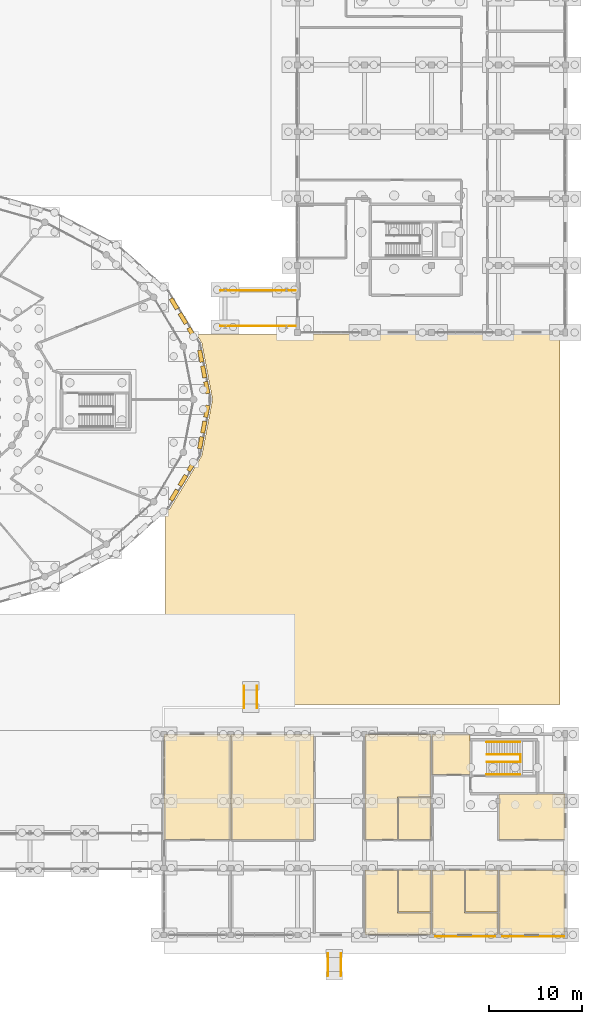
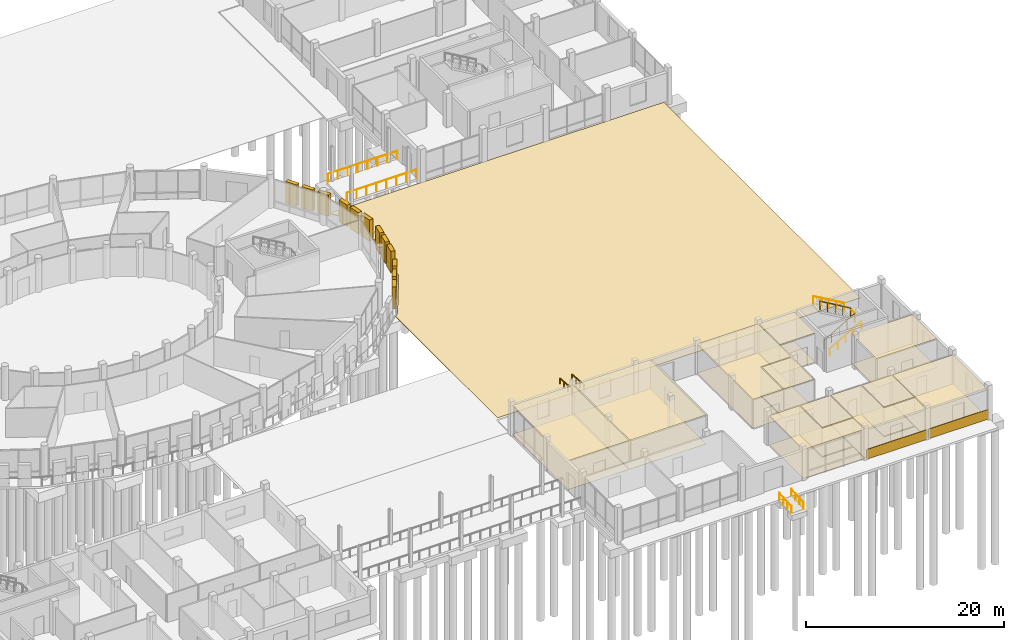
# One storey, part 96 of 98: 25 coverings, 12 shading devices, 11 railings.
"""IFC4 building model written with IfcOpenShell, lengths in metres."""

from ifc_helpers import new_model, si_unit, direction, frame, origin, origin_2d, place, context, subcontext, project, spatial, polyline, rectangle, circle, outline, extrude, material, layer, layer_set, type_object, element, save


model = new_model("IFC4")

# Units and contexts
model_context = context("Model", 3, precision=1e-05, world=origin(), true_north=direction((0.0, 1.0)))
body_context = subcontext(model_context, "Body", "Model", "MODEL_VIEW")
ifc_project = project(units=[si_unit("LENGTHUNIT", "METRE"), si_unit("AREAUNIT", "SQUARE_METRE"), si_unit("VOLUMEUNIT", "CUBIC_METRE"), si_unit("PLANEANGLEUNIT", "RADIAN"), si_unit("MASSUNIT", "GRAM", prefix="KILO")], contexts=[model_context])

# Site, building, storey
site_placement = place(None, origin())
site = spatial("IfcSite", under=ifc_project, at=site_placement, CompositionType="ELEMENT")
building_placement = place(site_placement, origin())
building = spatial("IfcBuilding", under=site, at=building_placement, Name="Zornivar Specialist Clinic", CompositionType="ELEMENT")
storey_placement = place(building_placement, origin())
storey = spatial("IfcBuildingStorey", under=building, at=storey_placement, Name="L00", CompositionType="ELEMENT", Elevation=0.0)

# Coverings
ifc_material_1 = material(Name="Washable Acoustic Mineral Clinical Ceiling")
ifc_layer_1 = layer(ifc_material_1, 0.01806640625)
ifc_layer_set_1 = layer_set([ifc_layer_1], Name="Washable Acoustic Mineral Clinical Ceiling")
covering_type_1 = type_object("IfcCoveringType", Name="COV-CEIL-CLIN-18", PredefinedType="CEILING", material=ifc_layer_set_1)
covering_1_placement = place(storey_placement, frame((0.0, 0.0, 3.58203125)))
element("IfcCovering", 1, at=covering_1_placement, inside=storey, type_object=covering_type_1, Name="ceil:space:V4:L00:rm:01", PredefinedType="CEILING", context=body_context, shape_type="SweptSolid", body=[
    extrude(outline(polyline([(122.43994140625, 21.56005859375), (129.56005859375, 21.56005859375), (129.56005859375, 10.239990234375), (122.43994140625, 10.239990234375), (122.43994140625, 21.56005859375)])), origin(), (0.0, 0.0, 1.0), 0.01806640625),
])
covering_2_placement = place(storey_placement, frame((0.0, 0.0, 3.58203125)))
element("IfcCovering", 2, at=covering_2_placement, inside=storey, type_object=covering_type_1, Name="ceil:space:V4:L00:rm:03", PredefinedType="CEILING", context=body_context, shape_type="SweptSolid", body=[
    extrude(outline(polyline([(129.639892578125, 10.239990234375), (129.639892578125, 21.56005859375), (138.56005859375, 21.56005859375), (138.56005859375, 10.239990234375), (129.639892578125, 10.239990234375)])), origin(), (0.0, 0.0, 1.0), 0.01806640625),
])
covering_3_placement = place(storey_placement, frame((0.0, 0.0, 3.58203125)))
element("IfcCovering", 3, at=covering_3_placement, inside=storey, type_object=covering_type_1, Name="ceil:space:V4:L00:rm:04", PredefinedType="CEILING", context=body_context, shape_type="SweptSolid", body=[
    extrude(outline(polyline([(151.159912109375, 2.43994140625), (147.639892578125, 2.43994140625), (147.639892578125, 6.9599609375), (151.159912109375, 6.9599609375), (151.159912109375, 2.43994140625)])), origin(), (0.0, 0.0, 1.0), 0.01806640625),
])
covering_4_placement = place(storey_placement, frame((0.0, 0.0, 3.58203125)))
element("IfcCovering", 4, at=covering_4_placement, inside=storey, type_object=covering_type_1, Name="ceil:space:V4:L00:rm:04b", PredefinedType="CEILING", context=body_context, shape_type="SweptSolid", body=[
    extrude(outline(polyline([(147.56005859375, 6.9599609375), (147.56005859375, 2.360107421875), (151.159912109375, 2.360107421875), (151.159912109375, 0.0400390625), (144.0400390625, 0.0400390625), (144.0400390625, 6.9599609375), (147.56005859375, 6.9599609375)])), origin(), (0.0, 0.0, 1.0), 0.01806640625),
])
covering_5_placement = place(storey_placement, frame((0.0, 0.0, 3.58203125)))
element("IfcCovering", 5, at=covering_5_placement, inside=storey, type_object=covering_type_1, Name="ceil:space:V4:L00:rm:06", PredefinedType="CEILING", context=body_context, shape_type="SweptSolid", body=[
    extrude(outline(polyline([(147.639892578125, 14.760009765625), (151.159912109375, 14.760009765625), (151.159912109375, 10.239990234375), (147.639892578125, 10.239990234375), (147.639892578125, 14.760009765625)])), origin(), (0.0, 0.0, 1.0), 0.01806640625),
])
covering_6_placement = place(storey_placement, frame((0.0, 0.0, 3.58203125)))
element("IfcCovering", 6, at=covering_6_placement, inside=storey, type_object=covering_type_1, Name="ceil:space:V4:L00:rm:06b", PredefinedType="CEILING", context=body_context, shape_type="SweptSolid", body=[
    extrude(outline(polyline([(144.0400390625, 21.56005859375), (151.159912109375, 21.56005859375), (151.159912109375, 14.840087890625), (147.56005859375, 14.840087890625), (147.56005859375, 10.239990234375), (144.0400390625, 10.239990234375), (144.0400390625, 21.56005859375)])), origin(), (0.0, 0.0, 1.0), 0.01806640625),
])
covering_7_placement = place(storey_placement, frame((0.0, 0.0, 3.58203125)))
element("IfcCovering", 7, at=covering_7_placement, inside=storey, type_object=covering_type_1, Name="ceil:space:V4:L00:rm:08", PredefinedType="CEILING", context=body_context, shape_type="SweptSolid", body=[
    extrude(outline(polyline([(158.360107421875, 2.43994140625), (154.840087890625, 2.43994140625), (154.840087890625, 6.9599609375), (158.360107421875, 6.9599609375), (158.360107421875, 2.43994140625)])), origin(), (0.0, 0.0, 1.0), 0.01806640625),
])
covering_8_placement = place(storey_placement, frame((0.0, 0.0, 3.58203125)))
element("IfcCovering", 8, at=covering_8_placement, inside=storey, type_object=covering_type_1, Name="ceil:space:V4:L00:rm:08b", PredefinedType="CEILING", context=body_context, shape_type="SweptSolid", body=[
    extrude(outline(polyline([(154.760009765625, 6.9599609375), (154.760009765625, 2.360107421875), (158.360107421875, 2.360107421875), (158.360107421875, 0.0400390625), (151.239990234375, 0.0400390625), (151.239990234375, 6.9599609375), (154.760009765625, 6.9599609375)])), origin(), (0.0, 0.0, 1.0), 0.01806640625),
])
covering_9_placement = place(storey_placement, frame((0.0, 0.0, 3.58203125)))
element("IfcCovering", 9, at=covering_9_placement, inside=storey, type_object=covering_type_1, Name="ceil:space:V4:L00:rm:10", PredefinedType="CEILING", context=body_context, shape_type="SweptSolid", body=[
    extrude(outline(polyline([(155.360107421875, 21.56005859375), (155.360107421875, 17.239990234375), (151.239990234375, 17.239990234375), (151.239990234375, 21.56005859375), (155.360107421875, 21.56005859375)])), origin(), (0.0, 0.0, 1.0), 0.01806640625),
])
covering_10_placement = place(storey_placement, frame((0.0, 0.0, 3.58203125)))
element("IfcCovering", 10, at=covering_10_placement, inside=storey, type_object=covering_type_1, Name="ceil:space:V4:L00:rm:11", PredefinedType="CEILING", context=body_context, shape_type="SweptSolid", body=[
    extrude(outline(polyline([(158.43994140625, 6.9599609375), (165.56005859375, 6.9599609375), (165.56005859375, 0.0400390625), (158.43994140625, 0.0400390625), (158.43994140625, 6.9599609375)])), origin(), (0.0, 0.0, 1.0), 0.01806640625),
])
covering_11_placement = place(storey_placement, frame((0.0, 0.0, 3.58203125)))
element("IfcCovering", 11, at=covering_11_placement, inside=storey, type_object=covering_type_1, Name="ceil:space:V4:L00:rm:12", PredefinedType="CEILING", context=body_context, shape_type="SweptSolid", body=[
    extrude(outline(polyline([(158.43994140625, 10.239990234375), (158.43994140625, 15.159912109375), (165.56005859375, 15.159912109375), (165.56005859375, 10.239990234375), (158.43994140625, 10.239990234375)])), origin(), (0.0, 0.0, 1.0), 0.01806640625),
])
ifc_material_2 = material(Name="Coursed Vratsa Limestone Plinth Cladding", Category="masonry")
ifc_layer_2 = layer(ifc_material_2, 0.050048828125)
ifc_layer_set_2 = layer_set([ifc_layer_2], Name="Coursed Vratsa Limestone Plinth Cladding")
covering_type_2 = type_object("IfcCoveringType", Name="COV-CLAD-VRATSA-50", PredefinedType="CLADDING", material=ifc_layer_set_2)
for number, where, z_axis, x_axis, name in (
    (12, (154.800048828125, -0.18505859375, 0.0), (0.0, 0.0, 1.0), (1.0, 0.0, 0.0), "clad:V4:L00:04"),
    (13, (162.0, -0.18505859375, 0.0), (0.0, 0.0, 1.0), (1.0, 0.0, 0.0), "clad:V4:L00:05"),
):
    element("IfcCovering", number, at=place(storey_placement, frame(where, z_axis=z_axis, x_axis=x_axis)), inside=storey, type_object=covering_type_2, Name=name, PredefinedType="CLADDING", context=body_context, shape_type="SweptSolid", body=[
        extrude(rectangle(XDim=7.0, YDim=0.050048828125, at=origin_2d()), origin(), (0.0, 0.0, 1.0), 1.199951171875),
    ])
ifc_material_3 = material(Name="Homogeneous Anti-Static Clinical Vinyl Flooring")
ifc_layer_3 = layer(ifc_material_3, 0.011962890625)
ifc_layer_set_3 = layer_set([ifc_layer_3], Name="Homogeneous Anti-Static Clinical Vinyl Flooring")
covering_type_3 = type_object("IfcCoveringType", Name="COV-FLR-VINYL-12", PredefinedType="FLOORING", material=ifc_layer_set_3)
covering_12_placement = place(storey_placement, origin())
element("IfcCovering", 14, at=covering_12_placement, inside=storey, type_object=covering_type_3, Name="flr:space:V4:L00:rm:01", PredefinedType="FLOORING", context=body_context, shape_type="SweptSolid", body=[
    extrude(outline(polyline([(122.43994140625, 21.56005859375), (129.56005859375, 21.56005859375), (129.56005859375, 10.239990234375), (122.43994140625, 10.239990234375), (122.43994140625, 21.56005859375)])), origin(), (0.0, 0.0, 1.0), 0.011962890625),
])
covering_13_placement = place(storey_placement, origin())
element("IfcCovering", 15, at=covering_13_placement, inside=storey, type_object=covering_type_3, Name="flr:space:V4:L00:rm:03", PredefinedType="FLOORING", context=body_context, shape_type="SweptSolid", body=[
    extrude(outline(polyline([(129.639892578125, 10.239990234375), (129.639892578125, 21.56005859375), (138.56005859375, 21.56005859375), (138.56005859375, 10.239990234375), (129.639892578125, 10.239990234375)])), origin(), (0.0, 0.0, 1.0), 0.011962890625),
])
covering_14_placement = place(storey_placement, origin())
element("IfcCovering", 16, at=covering_14_placement, inside=storey, type_object=covering_type_3, Name="flr:space:V4:L00:rm:04", PredefinedType="FLOORING", context=body_context, shape_type="SweptSolid", body=[
    extrude(outline(polyline([(151.159912109375, 2.43994140625), (147.639892578125, 2.43994140625), (147.639892578125, 6.9599609375), (151.159912109375, 6.9599609375), (151.159912109375, 2.43994140625)])), origin(), (0.0, 0.0, 1.0), 0.011962890625),
])
covering_15_placement = place(storey_placement, origin())
element("IfcCovering", 17, at=covering_15_placement, inside=storey, type_object=covering_type_3, Name="flr:space:V4:L00:rm:04b", PredefinedType="FLOORING", context=body_context, shape_type="SweptSolid", body=[
    extrude(outline(polyline([(147.56005859375, 6.9599609375), (147.56005859375, 2.360107421875), (151.159912109375, 2.360107421875), (151.159912109375, 0.0400390625), (144.0400390625, 0.0400390625), (144.0400390625, 6.9599609375), (147.56005859375, 6.9599609375)])), origin(), (0.0, 0.0, 1.0), 0.011962890625),
])
covering_16_placement = place(storey_placement, origin())
element("IfcCovering", 18, at=covering_16_placement, inside=storey, type_object=covering_type_3, Name="flr:space:V4:L00:rm:06", PredefinedType="FLOORING", context=body_context, shape_type="SweptSolid", body=[
    extrude(outline(polyline([(147.639892578125, 14.760009765625), (151.159912109375, 14.760009765625), (151.159912109375, 10.239990234375), (147.639892578125, 10.239990234375), (147.639892578125, 14.760009765625)])), origin(), (0.0, 0.0, 1.0), 0.011962890625),
])
covering_17_placement = place(storey_placement, origin())
element("IfcCovering", 19, at=covering_17_placement, inside=storey, type_object=covering_type_3, Name="flr:space:V4:L00:rm:06b", PredefinedType="FLOORING", context=body_context, shape_type="SweptSolid", body=[
    extrude(outline(polyline([(144.0400390625, 21.56005859375), (151.159912109375, 21.56005859375), (151.159912109375, 14.840087890625), (147.56005859375, 14.840087890625), (147.56005859375, 10.239990234375), (144.0400390625, 10.239990234375), (144.0400390625, 21.56005859375)])), origin(), (0.0, 0.0, 1.0), 0.011962890625),
])
covering_18_placement = place(storey_placement, origin())
element("IfcCovering", 20, at=covering_18_placement, inside=storey, type_object=covering_type_3, Name="flr:space:V4:L00:rm:08", PredefinedType="FLOORING", context=body_context, shape_type="SweptSolid", body=[
    extrude(outline(polyline([(158.360107421875, 2.43994140625), (154.840087890625, 2.43994140625), (154.840087890625, 6.9599609375), (158.360107421875, 6.9599609375), (158.360107421875, 2.43994140625)])), origin(), (0.0, 0.0, 1.0), 0.011962890625),
])
covering_19_placement = place(storey_placement, origin())
element("IfcCovering", 21, at=covering_19_placement, inside=storey, type_object=covering_type_3, Name="flr:space:V4:L00:rm:08b", PredefinedType="FLOORING", context=body_context, shape_type="SweptSolid", body=[
    extrude(outline(polyline([(154.760009765625, 6.9599609375), (154.760009765625, 2.360107421875), (158.360107421875, 2.360107421875), (158.360107421875, 0.0400390625), (151.239990234375, 0.0400390625), (151.239990234375, 6.9599609375), (154.760009765625, 6.9599609375)])), origin(), (0.0, 0.0, 1.0), 0.011962890625),
])
covering_20_placement = place(storey_placement, origin())
element("IfcCovering", 22, at=covering_20_placement, inside=storey, type_object=covering_type_3, Name="flr:space:V4:L00:rm:10", PredefinedType="FLOORING", context=body_context, shape_type="SweptSolid", body=[
    extrude(outline(polyline([(155.360107421875, 21.56005859375), (155.360107421875, 17.239990234375), (151.239990234375, 17.239990234375), (151.239990234375, 21.56005859375), (155.360107421875, 21.56005859375)])), origin(), (0.0, 0.0, 1.0), 0.011962890625),
])
covering_21_placement = place(storey_placement, origin())
element("IfcCovering", 23, at=covering_21_placement, inside=storey, type_object=covering_type_3, Name="flr:space:V4:L00:rm:11", PredefinedType="FLOORING", context=body_context, shape_type="SweptSolid", body=[
    extrude(outline(polyline([(158.43994140625, 6.9599609375), (165.56005859375, 6.9599609375), (165.56005859375, 0.0400390625), (158.43994140625, 0.0400390625), (158.43994140625, 6.9599609375)])), origin(), (0.0, 0.0, 1.0), 0.011962890625),
])
covering_22_placement = place(storey_placement, origin())
element("IfcCovering", 24, at=covering_22_placement, inside=storey, type_object=covering_type_3, Name="flr:space:V4:L00:rm:12", PredefinedType="FLOORING", context=body_context, shape_type="SweptSolid", body=[
    extrude(outline(polyline([(158.43994140625, 10.239990234375), (158.43994140625, 15.159912109375), (165.56005859375, 15.159912109375), (165.56005859375, 10.239990234375), (158.43994140625, 10.239990234375)])), origin(), (0.0, 0.0, 1.0), 0.011962890625),
])
ifc_material_4 = material(Name="Bush-Hammered Vratsa Limestone Courtyard Paving", Category="masonry")
ifc_layer_4 = layer(ifc_material_4, 0.06005859375)
ifc_layer_set_4 = layer_set([ifc_layer_4], Name="Bush-Hammered Vratsa Limestone Courtyard Paving")
covering_type_4 = type_object("IfcCoveringType", Name="COV-PAVING-STONE-60", PredefinedType="USERDEFINED", material=ifc_layer_set_4)
covering_23_placement = place(storey_placement, frame((0.0, 0.0, -0.06005859375)))
element("IfcCovering", 25, at=covering_23_placement, inside=storey, type_object=covering_type_4, Name="cov:paving:L00:4:east_revak_court", ObjectType="PAVING", PredefinedType="USERDEFINED", context=body_context, shape_type="SweptSolid", body=[
    extrude(outline(polyline([(122.60009765625, 24.800048828125), (122.60009765625, 45.44189453125), (123.069091796875, 45.863037109375), (126.47802734375, 51.52001953125), (127.64208984375, 57.60009765625), (126.47802734375, 63.679931640625), (125.923095703125, 64.60009765625), (165.0, 64.60009765625), (165.0, 24.800048828125), (122.60009765625, 24.800048828125)])), origin(), (0.0, 0.0, 1.0), 0.06005859375),
])

# Railings
ifc_material_5 = material(Name="Painted Steel and Oiled Timber Balustrade", Category="steel")
railing_type_1 = type_object("IfcRailingType", Name="GRD-EXT-BALUST-1100", PredefinedType="BALUSTRADE", material=ifc_material_5)
for number, where, name in (
    (26, (128.47998046875, 65.47998046875, 0.0), "rail:BR3:L00:S"),
    (27, (128.47998046875, 69.320068359375, 0.0), "rail:BR3:L00:N"),
):
    element("IfcRailing", number, at=place(storey_placement, frame(where)), inside=storey, type_object=railing_type_1, Name=name, PredefinedType="BALUSTRADE", context=body_context, shape_type="SweptSolid", body=[
        extrude(circle(Radius=0.02392578125, at=origin_2d()), frame((0.0, 0.0, 1.076171875), z_axis=(1.0, 0.0, 0.0), x_axis=(0.0, 1.0, 0.0)), (0.0, 0.0, 1.0), 8.1201171875),
        extrude(circle(Radius=0.02099609375, at=origin_2d()), origin(), (0.0, 0.0, 1.0), 1.052001953125),
        extrude(circle(Radius=0.02099609375, at=origin_2d()), frame((1.159912109375, 0.0, 0.0)), (0.0, 0.0, 1.0), 1.052001953125),
        extrude(circle(Radius=0.02099609375, at=origin_2d()), frame((2.320068359375, 0.0, 0.0)), (0.0, 0.0, 1.0), 1.052001953125),
        extrude(circle(Radius=0.02099609375, at=origin_2d()), frame((3.47998046875, 0.0, 0.0)), (0.0, 0.0, 1.0), 1.052001953125),
        extrude(circle(Radius=0.02099609375, at=origin_2d()), frame((4.64013671875, 0.0, 0.0)), (0.0, 0.0, 1.0), 1.052001953125),
        extrude(circle(Radius=0.02099609375, at=origin_2d()), frame((5.800048828125, 0.0, 0.0)), (0.0, 0.0, 1.0), 1.052001953125),
        extrude(circle(Radius=0.02099609375, at=origin_2d()), frame((6.960205078125, 0.0, 0.0)), (0.0, 0.0, 1.0), 1.052001953125),
        extrude(circle(Radius=0.02099609375, at=origin_2d()), frame((8.1201171875, 0.0, 0.0)), (0.0, 0.0, 1.0), 1.052001953125),
    ])
ifc_material_6 = material(Name="Brushed Stainless Steel Stair Guardrail", Category="steel")
railing_type_2 = type_object("IfcRailingType", Name="GRD-INT-STAIR-1100", PredefinedType="GUARDRAIL", material=ifc_material_6)
railing_1_placement = place(storey_placement, frame((157.139892578125, 18.580078125, 0.160888671875)))
element("IfcRailing", 28, at=railing_1_placement, inside=storey, type_object=railing_type_2, Name="stair:C6:L00:grd1", PredefinedType="GUARDRAIL", context=body_context, shape_type="SweptSolid", body=[
    extrude(circle(Radius=0.02392578125, at=origin_2d()), frame((0.0, 0.0, 1.076171875), z_axis=(0.862467420366, 0.0, 0.50611258511), x_axis=(0.0, 1.0, 0.0)), (0.0, 0.0, 1.0), 4.127685546875),
    extrude(circle(Radius=0.02099609375, at=origin_2d()), origin(), (0.0, 0.0, 1.0), 1.052001953125),
    extrude(circle(Radius=0.02099609375, at=origin_2d()), frame((0.89013671875, 0.0, 0.522216796875)), (0.0, 0.0, 1.0), 1.052001953125),
    extrude(circle(Radius=0.02099609375, at=origin_2d()), frame((1.780029296875, 0.0, 1.04443359375)), (0.0, 0.0, 1.0), 1.052001953125),
    extrude(circle(Radius=0.02099609375, at=origin_2d()), frame((2.669921875, 0.0, 1.56689453125)), (0.0, 0.0, 1.0), 1.052001953125),
    extrude(circle(Radius=0.02099609375, at=origin_2d()), frame((3.56005859375, 0.0, 2.089111328125)), (0.0, 0.0, 1.0), 1.052001953125),
])
railing_2_placement = place(storey_placement, frame((160.699951171875, 19.419921875, 2.410888671875)))
element("IfcRailing", 29, at=railing_2_placement, inside=storey, type_object=railing_type_2, Name="stair:C6:L00:grd2", PredefinedType="GUARDRAIL", context=body_context, shape_type="SweptSolid", body=[
    extrude(circle(Radius=0.02392578125, at=origin_2d()), frame((0.0, 0.0, 1.076171875), z_axis=(-0.861217264902, 0.0, 0.50823697488), x_axis=(0.0, -1.0, 0.0)), (0.0, 0.0, 1.0), 4.110595703125),
    extrude(circle(Radius=0.02099609375, at=origin_2d()), origin(), (0.0, 0.0, 1.0), 1.052001953125),
    extrude(circle(Radius=0.02099609375, at=origin_2d()), frame((-0.885009765625, 0.0, 0.522216796875)), (0.0, 0.0, 1.0), 1.052001953125),
    extrude(circle(Radius=0.02099609375, at=origin_2d()), frame((-1.77001953125, 0.0, 1.04443359375)), (0.0, 0.0, 1.0), 1.052001953125),
    extrude(circle(Radius=0.02099609375, at=origin_2d()), frame((-2.655029296875, 0.0, 1.56689453125)), (0.0, 0.0, 1.0), 1.052001953125),
    extrude(circle(Radius=0.02099609375, at=origin_2d()), frame((-3.5400390625, 0.0, 2.089111328125)), (0.0, 0.0, 1.0), 1.052001953125),
])
railing_3_placement = place(storey_placement, frame((160.77001953125, 18.580078125, 2.25)))
element("IfcRailing", 30, at=railing_3_placement, inside=storey, type_object=railing_type_2, Name="stair:C6:L00:grdl", PredefinedType="GUARDRAIL", context=body_context, shape_type="SweptSolid", body=[
    extrude(circle(Radius=0.02392578125, at=origin_2d()), frame((0.0, 0.0, 1.076171875), z_axis=(0.0, 1.0, 0.0), x_axis=(-1.0, 0.0, 0.0)), (0.0, 0.0, 1.0), 0.83984375),
    extrude(circle(Radius=0.02099609375, at=origin_2d()), origin(), (0.0, 0.0, 1.0), 1.052001953125),
    extrude(circle(Radius=0.02099609375, at=origin_2d()), frame((0.0, 0.83984375, 0.0)), (0.0, 0.0, 1.0), 1.052001953125),
])
ifc_material_7 = material(Name="Brushed Stainless Steel Continuous Handrail", Category="steel")
railing_type_3 = type_object("IfcRailingType", Name="HRL-STAIR-0920", PredefinedType="HANDRAIL", material=ifc_material_7)
railing_4_placement = place(storey_placement, frame((157.10009765625, 17.27001953125, 0.160888671875)))
element("IfcRailing", 31, at=railing_4_placement, inside=storey, type_object=railing_type_3, Name="stair:C6:L00:hr1", PredefinedType="HANDRAIL", context=body_context, shape_type="SweptSolid", body=[
    extrude(circle(Radius=0.02392578125, at=origin_2d()), frame((0.0, 0.0, 0.89599609375), z_axis=(0.867300072446, 0.0, 0.497785681127), x_axis=(0.0, 1.0, 0.0)), (0.0, 0.0, 1.0), 4.19677734375),
    extrude(circle(Radius=0.02099609375, at=origin_2d()), origin(), (0.0, 0.0, 1.0), 0.871826171875),
    extrude(circle(Radius=0.02099609375, at=origin_2d()), frame((0.909912109375, 0.0, 0.522216796875)), (0.0, 0.0, 1.0), 0.871826171875),
    extrude(circle(Radius=0.02099609375, at=origin_2d()), frame((1.81982421875, 0.0, 1.04443359375)), (0.0, 0.0, 1.0), 0.871826171875),
    extrude(circle(Radius=0.02099609375, at=origin_2d()), frame((2.72998046875, 0.0, 1.56689453125)), (0.0, 0.0, 1.0), 0.871826171875),
    extrude(circle(Radius=0.02099609375, at=origin_2d()), frame((3.639892578125, 0.0, 2.089111328125)), (0.0, 0.0, 1.0), 0.871826171875),
])
railing_5_placement = place(storey_placement, frame((160.739990234375, 20.72998046875, 2.410888671875)))
element("IfcRailing", 32, at=railing_5_placement, inside=storey, type_object=railing_type_3, Name="stair:C6:L00:hr2", PredefinedType="HANDRAIL", context=body_context, shape_type="SweptSolid", body=[
    extrude(circle(Radius=0.02392578125, at=origin_2d()), frame((0.0, 0.0, 0.89599609375), z_axis=(-0.866110694346, 0.0, 0.499852243307), x_axis=(0.0, -1.0, 0.0)), (0.0, 0.0, 1.0), 4.179443359375),
    extrude(circle(Radius=0.02099609375, at=origin_2d()), origin(), (0.0, 0.0, 1.0), 0.871826171875),
    extrude(circle(Radius=0.02099609375, at=origin_2d()), frame((-0.905029296875, 0.0, 0.522216796875)), (0.0, 0.0, 1.0), 0.871826171875),
    extrude(circle(Radius=0.02099609375, at=origin_2d()), frame((-1.81005859375, 0.0, 1.04443359375)), (0.0, 0.0, 1.0), 0.871826171875),
    extrude(circle(Radius=0.02099609375, at=origin_2d()), frame((-2.71484375, 0.0, 1.56689453125)), (0.0, 0.0, 1.0), 0.871826171875),
    extrude(circle(Radius=0.02099609375, at=origin_2d()), frame((-3.619873046875, 0.0, 2.089111328125)), (0.0, 0.0, 1.0), 0.871826171875),
])
for number, where, name in (
    (33, (140.050048828125, -4.39990234375, -0.179931640625), "ramp:ped:L00:PR3:hr0"),
    (34, (141.449951171875, -4.39990234375, -0.179931640625), "ramp:ped:L00:PR3:hr1"),
):
    element("IfcRailing", number, at=place(storey_placement, frame(where)), inside=storey, type_object=railing_type_3, Name=name, PredefinedType="HANDRAIL", context=body_context, shape_type="SweptSolid", body=[
        extrude(circle(Radius=0.02392578125, at=origin_2d()), frame((0.0, 0.0, 0.89599609375), z_axis=(0.0, 0.997201201018, 0.074764728906), x_axis=(-1.0, 0.0, 0.0)), (0.0, 0.0, 1.0), 2.40673828125),
        extrude(circle(Radius=0.02099609375, at=origin_2d()), origin(), (0.0, 0.0, 1.0), 0.871826171875),
        extrude(circle(Radius=0.02099609375, at=origin_2d()), frame((0.0, 0.800048828125, 0.06005859375)), (0.0, 0.0, 1.0), 0.871826171875),
        extrude(circle(Radius=0.02099609375, at=origin_2d()), frame((0.0, 1.599853515625, 0.119873046875)), (0.0, 0.0, 1.0), 0.871826171875),
        extrude(circle(Radius=0.02099609375, at=origin_2d()), frame((0.0, 2.39990234375, 0.179931640625)), (0.0, 0.0, 1.0), 0.871826171875),
    ])
for number, where, name in (
    (35, (131.050048828125, 26.800048828125, -0.179931640625), "ramp:ped:L00:PR5:hr0"),
    (36, (132.449951171875, 26.800048828125, -0.179931640625), "ramp:ped:L00:PR5:hr1"),
):
    element("IfcRailing", number, at=place(storey_placement, frame(where)), inside=storey, type_object=railing_type_3, Name=name, PredefinedType="HANDRAIL", context=body_context, shape_type="SweptSolid", body=[
        extrude(circle(Radius=0.02392578125, at=origin_2d()), frame((0.0, 0.0, 0.89599609375), z_axis=(0.0, -0.997201767984, 0.074757166413), x_axis=(1.0, 0.0, 0.0)), (0.0, 0.0, 1.0), 2.406982421875),
        extrude(circle(Radius=0.02099609375, at=origin_2d()), origin(), (0.0, 0.0, 1.0), 0.871826171875),
        extrude(circle(Radius=0.02099609375, at=origin_2d()), frame((0.0, -0.800048828125, 0.06005859375)), (0.0, 0.0, 1.0), 0.871826171875),
        extrude(circle(Radius=0.02099609375, at=origin_2d()), frame((0.0, -1.60009765625, 0.119873046875)), (0.0, 0.0, 1.0), 0.871826171875),
        extrude(circle(Radius=0.02099609375, at=origin_2d()), frame((0.0, -2.400146484375, 0.179931640625)), (0.0, 0.0, 1.0), 0.871826171875),
    ])

# Shading devices
ifc_material_8 = material(Name="Oiled European Larch Timber Louvre Shutter", Category="wood")
shading_device_type = type_object("IfcShadingDeviceType", Name="SHD-DRUM-SHUTTER-450", PredefinedType="SHUTTER", material=ifc_material_8)
for number, where, z_axis, x_axis, name in (
    (37, (127.02001953125, 58.881103515625, 0.0), (0.0, 0.0, 1.0), (-0.188098987302, 0.982150075587, 0.0), "shutter:V1:L00:c00:0"),
    (38, (126.696044921875, 60.571044921875, 0.0), (0.0, 0.0, 1.0), (-0.188098987302, 0.982150075587, 0.0), "shutter:V1:L00:c00:1"),
    (39, (126.373046875, 62.260986328125, 0.0), (0.0, 0.0, 1.0), (-0.188098987302, 0.982150075587, 0.0), "shutter:V1:L00:c00:2"),
    (40, (125.404052734375, 64.743896484375, 0.0), (0.0, 0.0, 1.0), (-0.516018019467, 0.856577727696, 0.0), "shutter:V1:L00:c01:0"),
    (41, (124.4560546875, 66.319091796875, 0.0), (0.0, 0.0, 1.0), (-0.516018019467, 0.856577727696, 0.0), "shutter:V1:L00:c01:1"),
    (42, (123.507080078125, 67.89404296875, 0.0), (0.0, 0.0, 1.0), (-0.516018019467, 0.856577727696, 0.0), "shutter:V1:L00:c01:2"),
    (43, (123.507080078125, 47.305908203125, 0.0), (0.0, 0.0, 1.0), (0.516018019467, 0.856577727696, 0.0), "shutter:V1:L00:c22:0"),
    (44, (124.4560546875, 48.881103515625, 0.0), (0.0, 0.0, 1.0), (0.516018019467, 0.856577727696, 0.0), "shutter:V1:L00:c22:1"),
    (45, (125.404052734375, 50.4560546875, 0.0), (0.0, 0.0, 1.0), (0.516018019467, 0.856577727696, 0.0), "shutter:V1:L00:c22:2"),
    (46, (126.373046875, 52.93896484375, 0.0), (0.0, 0.0, 1.0), (0.188098987302, 0.982150075587, 0.0), "shutter:V1:L00:c23:0"),
    (47, (126.696044921875, 54.62890625, 0.0), (0.0, 0.0, 1.0), (0.188098987302, 0.982150075587, 0.0), "shutter:V1:L00:c23:1"),
    (48, (127.02001953125, 56.319091796875, 0.0), (0.0, 0.0, 1.0), (0.188098987302, 0.982150075587, 0.0), "shutter:V1:L00:c23:2"),
):
    element("IfcShadingDevice", number, at=place(storey_placement, frame(where, z_axis=z_axis, x_axis=x_axis)), inside=storey, type_object=shading_device_type, Name=name, PredefinedType="SHUTTER", context=body_context, shape_type="SweptSolid", body=[
        extrude(rectangle(XDim=1.300048828125, YDim=0.449951171875, at=origin_2d()), origin(), (0.0, 0.0, 1.0), 2.64990234375),
    ])

save(model, "model.ifc")
